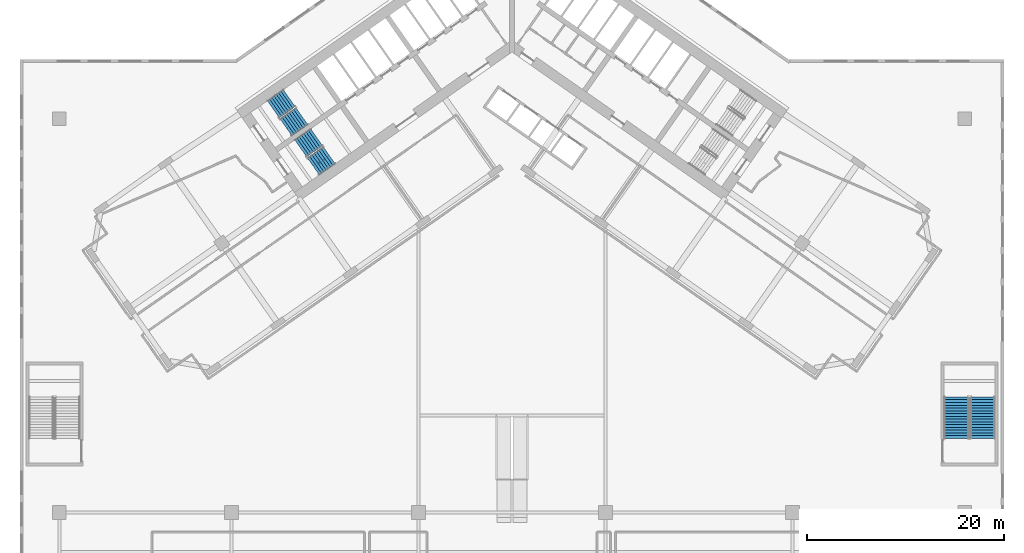
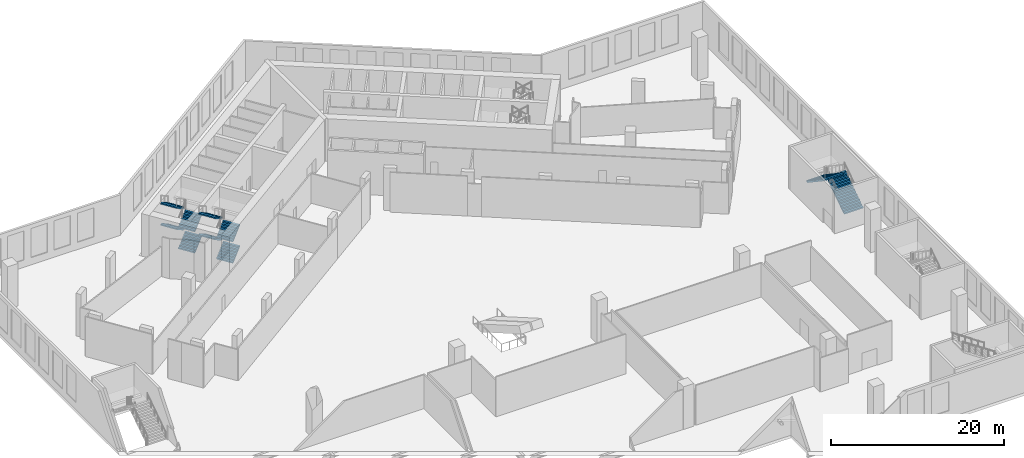
# One storey, part 15 of 25: 10 stair flights, 3 elements without a shape of their own.
"""IFC4 building model written with IfcOpenShell, lengths in metres."""

from ifc_helpers import new_model, si_unit, direction, frame, origin, place, context, subcontext, project, spatial, polyline, outline, extrude, material, type_object, element, aggregate, save


model = new_model("IFC4")

# Units and contexts
model_context = context("Model", 3, precision=1e-05, world=origin(), true_north=direction((0.0, 1.0)))
body_context = subcontext(model_context, "Body", "Model", "MODEL_VIEW")
ifc_project = project(units=[si_unit("LENGTHUNIT", "METRE"), si_unit("AREAUNIT", "SQUARE_METRE"), si_unit("VOLUMEUNIT", "CUBIC_METRE"), si_unit("PLANEANGLEUNIT", "RADIAN"), si_unit("MASSUNIT", "GRAM", prefix="KILO")], contexts=[model_context])

# Site, building, storey
site_placement = place(None, origin())
site = spatial("IfcSite", under=ifc_project, at=site_placement, CompositionType="ELEMENT")
building_placement = place(site_placement, origin())
building = spatial("IfcBuilding", under=site, at=building_placement, Name="Tel Ilan Convention Tower", CompositionType="ELEMENT")
storey_placement = place(building_placement, frame((0.0, 0.0, 26.0)))
storey = spatial("IfcBuildingStorey", under=building, at=storey_placement, Name="L03", CompositionType="ELEMENT", Elevation=26.0)

# Stair, stair flights
ifc_material_1 = material(Name="Concrete C40/50", Category="concrete")
stair_type = type_object("IfcStairType", Name="Pressurised Exit Stair 32 risers 188 mm", PredefinedType="HALF_TURN_STAIR", material=ifc_material_1)
stair_1_placement = place(storey_placement, origin())
stair_1 = element("IfcStair", 1, at=stair_1_placement, inside=storey, type_object=stair_type, Name="L03 Pressurised Stair S1", PredefinedType="HALF_TURN_STAIR")
ifc_material_2 = material(Name="Precast Concrete C40/50", Category="concrete")
stair_flight_type_1 = type_object("IfcStairFlightType", Name="Concrete Stair Flight 2100 mm 32 risers 188 mm", PredefinedType="STRAIGHT", material=ifc_material_2)
stair_flight_1_placement = place(storey_placement, frame((-22.9619140625, -8.87548828125, 0.0), z_axis=(0.0, 0.0, 1.0), x_axis=(0.819152044289, 0.573576436351, 0.0)))
stair_flight_1 = element("IfcStairFlight", 2, at=stair_flight_1_placement, type_object=stair_flight_type_1, Name="S1 flight 1", NumberOfRisers=8, NumberOfTreads=7, PredefinedType="STRAIGHT", RiserHeight=0.1875, TreadLength=0.28, context=body_context, shape_type="SweptSolid", body=[
    extrude(outline(polyline([(0.0, 0.0), (0.0, 0.1875), (0.280029296875, 0.1875), (0.280029296875, 0.375), (0.56005859375, 0.375), (0.56005859375, 0.5625), (0.840087890625, 0.5625), (0.840087890625, 0.75), (1.1201171875, 0.75), (1.1201171875, 0.9375), (1.39990234375, 0.9375), (1.39990234375, 1.125), (1.679931640625, 1.125), (1.679931640625, 1.3125), (1.9599609375, 1.3125), (1.9599609375, 1.5), (1.9599609375, 1.132080078125), (0.26953125, 0.0), (0.0, 0.0)])), frame((0.0, -0.100341796875, 0.0), z_axis=(0.0, -1.0, 0.0), x_axis=(1.0, 0.0, 0.0)), (0.0, 0.0, 1.0), 0.94970703125),
    extrude(outline(polyline([(0.0, 0.0), (0.0, 0.1875), (0.280029296875, 0.1875), (0.280029296875, 0.375), (0.56005859375, 0.375), (0.56005859375, 0.5625), (0.840087890625, 0.5625), (0.840087890625, 0.75), (1.1201171875, 0.75), (1.1201171875, 0.9375), (1.39990234375, 0.9375), (1.39990234375, 1.125), (1.679931640625, 1.125), (1.679931640625, 1.3125), (1.9599609375, 1.3125), (1.9599609375, 1.5), (1.9599609375, 1.132080078125), (0.26953125, 0.0), (0.0, 0.0)])), frame((0.0, -0.000244140625, 0.0), z_axis=(0.0, -1.0, 0.0), x_axis=(1.0, 0.0, 0.0)), (0.0, 0.0, 1.0), 0.099609375),
    extrude(outline(polyline([(0.0, 0.0), (0.0, 0.1875), (0.280029296875, 0.1875), (0.280029296875, 0.375), (0.56005859375, 0.375), (0.56005859375, 0.5625), (0.840087890625, 0.5625), (0.840087890625, 0.75), (1.1201171875, 0.75), (1.1201171875, 0.9375), (1.39990234375, 0.9375), (1.39990234375, 1.125), (1.679931640625, 1.125), (1.679931640625, 1.3125), (1.9599609375, 1.3125), (1.9599609375, 1.5), (1.9599609375, 1.132080078125), (0.26953125, 0.0), (0.0, 0.0)])), frame((0.0, 0.099853515625, 0.0), z_axis=(0.0, -1.0, 0.0), x_axis=(1.0, 0.0, 0.0)), (0.0, 0.0, 1.0), 0.099609375),
    extrude(outline(polyline([(0.0, 0.0), (0.0, 0.1875), (0.280029296875, 0.1875), (0.280029296875, 0.375), (0.56005859375, 0.375), (0.56005859375, 0.5625), (0.840087890625, 0.5625), (0.840087890625, 0.75), (1.1201171875, 0.75), (1.1201171875, 0.9375), (1.39990234375, 0.9375), (1.39990234375, 1.125), (1.679931640625, 1.125), (1.679931640625, 1.3125), (1.9599609375, 1.3125), (1.9599609375, 1.5), (1.9599609375, 1.132080078125), (0.26953125, 0.0), (0.0, 0.0)])), frame((0.0, 1.050048828125, 0.0), z_axis=(0.0, -1.0, 0.0), x_axis=(1.0, 0.0, 0.0)), (0.0, 0.0, 1.0), 0.94970703125),
])
stair_flight_2_placement = place(storey_placement, frame((-22.646728515625, -5.908203125, 1.5), z_axis=(0.0, 0.0, 1.0), x_axis=(-0.819152044289, -0.573576436351, 0.0)))
stair_flight_2 = element("IfcStairFlight", 3, at=stair_flight_2_placement, type_object=stair_flight_type_1, Name="S1 flight 2", NumberOfRisers=8, NumberOfTreads=7, PredefinedType="STRAIGHT", RiserHeight=0.1875, TreadLength=0.28, context=body_context, shape_type="SweptSolid", body=[
    extrude(outline(polyline([(0.0, 0.0), (0.0, 0.1875), (0.280029296875, 0.1875), (0.280029296875, 0.375), (0.56005859375, 0.375), (0.56005859375, 0.5625), (0.840087890625, 0.5625), (0.840087890625, 0.75), (1.1201171875, 0.75), (1.1201171875, 0.9375), (1.39990234375, 0.9375), (1.39990234375, 1.125), (1.679931640625, 1.125), (1.679931640625, 1.3125), (1.9599609375, 1.3125), (1.9599609375, 1.5), (1.9599609375, 1.132080078125), (0.26953125, 0.0), (0.0, 0.0)])), frame((0.0, -0.100341796875, 0.0), z_axis=(0.0, -1.0, 0.0), x_axis=(1.0, 0.0, 0.0)), (0.0, 0.0, 1.0), 0.94970703125),
    extrude(outline(polyline([(0.0, 0.0), (0.0, 0.1875), (0.280029296875, 0.1875), (0.280029296875, 0.375), (0.56005859375, 0.375), (0.56005859375, 0.5625), (0.840087890625, 0.5625), (0.840087890625, 0.75), (1.1201171875, 0.75), (1.1201171875, 0.9375), (1.39990234375, 0.9375), (1.39990234375, 1.125), (1.679931640625, 1.125), (1.679931640625, 1.3125), (1.9599609375, 1.3125), (1.9599609375, 1.5), (1.9599609375, 1.132080078125), (0.26953125, 0.0), (0.0, 0.0)])), frame((0.0, -0.000244140625, 0.0), z_axis=(0.0, -1.0, 0.0), x_axis=(1.0, 0.0, 0.0)), (0.0, 0.0, 1.0), 0.099609375),
    extrude(outline(polyline([(0.0, 0.0), (0.0, 0.1875), (0.280029296875, 0.1875), (0.280029296875, 0.375), (0.56005859375, 0.375), (0.56005859375, 0.5625), (0.840087890625, 0.5625), (0.840087890625, 0.75), (1.1201171875, 0.75), (1.1201171875, 0.9375), (1.39990234375, 0.9375), (1.39990234375, 1.125), (1.679931640625, 1.125), (1.679931640625, 1.3125), (1.9599609375, 1.3125), (1.9599609375, 1.5), (1.9599609375, 1.132080078125), (0.26953125, 0.0), (0.0, 0.0)])), frame((0.0, 0.099853515625, 0.0), z_axis=(0.0, -1.0, 0.0), x_axis=(1.0, 0.0, 0.0)), (0.0, 0.0, 1.0), 0.099609375),
    extrude(outline(polyline([(0.0, 0.0), (0.0, 0.1875), (0.280029296875, 0.1875), (0.280029296875, 0.375), (0.56005859375, 0.375), (0.56005859375, 0.5625), (0.840087890625, 0.5625), (0.840087890625, 0.75), (1.1201171875, 0.75), (1.1201171875, 0.9375), (1.39990234375, 0.9375), (1.39990234375, 1.125), (1.679931640625, 1.125), (1.679931640625, 1.3125), (1.9599609375, 1.3125), (1.9599609375, 1.5), (1.9599609375, 1.132080078125), (0.26953125, 0.0), (0.0, 0.0)])), frame((0.0, 1.050048828125, 0.0), z_axis=(0.0, -1.0, 0.0), x_axis=(1.0, 0.0, 0.0)), (0.0, 0.0, 1.0), 0.94970703125),
])
stair_flight_3_placement = place(storey_placement, frame((-22.9619140625, -8.87548828125, 3.0), z_axis=(0.0, 0.0, 1.0), x_axis=(0.819152044289, 0.573576436351, 0.0)))
stair_flight_3 = element("IfcStairFlight", 4, at=stair_flight_3_placement, type_object=stair_flight_type_1, Name="S1 flight 3", NumberOfRisers=8, NumberOfTreads=7, PredefinedType="STRAIGHT", RiserHeight=0.1875, TreadLength=0.28, context=body_context, shape_type="SweptSolid", body=[
    extrude(outline(polyline([(0.0, 0.0), (0.0, 0.1875), (0.280029296875, 0.1875), (0.280029296875, 0.375), (0.56005859375, 0.375), (0.56005859375, 0.5625), (0.840087890625, 0.5625), (0.840087890625, 0.75), (1.1201171875, 0.75), (1.1201171875, 0.9375), (1.39990234375, 0.9375), (1.39990234375, 1.125), (1.679931640625, 1.125), (1.679931640625, 1.3125), (1.9599609375, 1.3125), (1.9599609375, 1.5), (1.9599609375, 1.132080078125), (0.26953125, 0.0), (0.0, 0.0)])), frame((0.0, -0.100341796875, 0.0), z_axis=(0.0, -1.0, 0.0), x_axis=(1.0, 0.0, 0.0)), (0.0, 0.0, 1.0), 0.94970703125),
    extrude(outline(polyline([(0.0, 0.0), (0.0, 0.1875), (0.280029296875, 0.1875), (0.280029296875, 0.375), (0.56005859375, 0.375), (0.56005859375, 0.5625), (0.840087890625, 0.5625), (0.840087890625, 0.75), (1.1201171875, 0.75), (1.1201171875, 0.9375), (1.39990234375, 0.9375), (1.39990234375, 1.125), (1.679931640625, 1.125), (1.679931640625, 1.3125), (1.9599609375, 1.3125), (1.9599609375, 1.5), (1.9599609375, 1.132080078125), (0.26953125, 0.0), (0.0, 0.0)])), frame((0.0, -0.000244140625, 0.0), z_axis=(0.0, -1.0, 0.0), x_axis=(1.0, 0.0, 0.0)), (0.0, 0.0, 1.0), 0.099609375),
    extrude(outline(polyline([(0.0, 0.0), (0.0, 0.1875), (0.280029296875, 0.1875), (0.280029296875, 0.375), (0.56005859375, 0.375), (0.56005859375, 0.5625), (0.840087890625, 0.5625), (0.840087890625, 0.75), (1.1201171875, 0.75), (1.1201171875, 0.9375), (1.39990234375, 0.9375), (1.39990234375, 1.125), (1.679931640625, 1.125), (1.679931640625, 1.3125), (1.9599609375, 1.3125), (1.9599609375, 1.5), (1.9599609375, 1.132080078125), (0.26953125, 0.0), (0.0, 0.0)])), frame((0.0, 0.099853515625, 0.0), z_axis=(0.0, -1.0, 0.0), x_axis=(1.0, 0.0, 0.0)), (0.0, 0.0, 1.0), 0.099609375),
    extrude(outline(polyline([(0.0, 0.0), (0.0, 0.1875), (0.280029296875, 0.1875), (0.280029296875, 0.375), (0.56005859375, 0.375), (0.56005859375, 0.5625), (0.840087890625, 0.5625), (0.840087890625, 0.75), (1.1201171875, 0.75), (1.1201171875, 0.9375), (1.39990234375, 0.9375), (1.39990234375, 1.125), (1.679931640625, 1.125), (1.679931640625, 1.3125), (1.9599609375, 1.3125), (1.9599609375, 1.5), (1.9599609375, 1.132080078125), (0.26953125, 0.0), (0.0, 0.0)])), frame((0.0, 1.050048828125, 0.0), z_axis=(0.0, -1.0, 0.0), x_axis=(1.0, 0.0, 0.0)), (0.0, 0.0, 1.0), 0.94970703125),
])
stair_flight_4_placement = place(storey_placement, frame((-22.646728515625, -5.908203125, 4.5), z_axis=(0.0, 0.0, 1.0), x_axis=(-0.819152044289, -0.573576436351, 0.0)))
stair_flight_4 = element("IfcStairFlight", 5, at=stair_flight_4_placement, type_object=stair_flight_type_1, Name="S1 flight 4", NumberOfRisers=8, NumberOfTreads=7, PredefinedType="STRAIGHT", RiserHeight=0.1875, TreadLength=0.28, context=body_context, shape_type="SweptSolid", body=[
    extrude(outline(polyline([(0.0, 0.0), (0.0, 0.1875), (0.280029296875, 0.1875), (0.280029296875, 0.375), (0.56005859375, 0.375), (0.56005859375, 0.5625), (0.840087890625, 0.5625), (0.840087890625, 0.75), (1.1201171875, 0.75), (1.1201171875, 0.9375), (1.39990234375, 0.9375), (1.39990234375, 1.125), (1.679931640625, 1.125), (1.679931640625, 1.3125), (1.9599609375, 1.3125), (1.9599609375, 1.5), (1.9599609375, 1.132080078125), (0.26953125, 0.0), (0.0, 0.0)])), frame((0.0, -0.100341796875, 0.0), z_axis=(0.0, -1.0, 0.0), x_axis=(1.0, 0.0, 0.0)), (0.0, 0.0, 1.0), 0.94970703125),
    extrude(outline(polyline([(0.0, 0.0), (0.0, 0.1875), (0.280029296875, 0.1875), (0.280029296875, 0.375), (0.56005859375, 0.375), (0.56005859375, 0.5625), (0.840087890625, 0.5625), (0.840087890625, 0.75), (1.1201171875, 0.75), (1.1201171875, 0.9375), (1.39990234375, 0.9375), (1.39990234375, 1.125), (1.679931640625, 1.125), (1.679931640625, 1.3125), (1.9599609375, 1.3125), (1.9599609375, 1.5), (1.9599609375, 1.132080078125), (0.26953125, 0.0), (0.0, 0.0)])), frame((0.0, -0.000244140625, 0.0), z_axis=(0.0, -1.0, 0.0), x_axis=(1.0, 0.0, 0.0)), (0.0, 0.0, 1.0), 0.099609375),
    extrude(outline(polyline([(0.0, 0.0), (0.0, 0.1875), (0.280029296875, 0.1875), (0.280029296875, 0.375), (0.56005859375, 0.375), (0.56005859375, 0.5625), (0.840087890625, 0.5625), (0.840087890625, 0.75), (1.1201171875, 0.75), (1.1201171875, 0.9375), (1.39990234375, 0.9375), (1.39990234375, 1.125), (1.679931640625, 1.125), (1.679931640625, 1.3125), (1.9599609375, 1.3125), (1.9599609375, 1.5), (1.9599609375, 1.132080078125), (0.26953125, 0.0), (0.0, 0.0)])), frame((0.0, 0.099853515625, 0.0), z_axis=(0.0, -1.0, 0.0), x_axis=(1.0, 0.0, 0.0)), (0.0, 0.0, 1.0), 0.099609375),
    extrude(outline(polyline([(0.0, 0.0), (0.0, 0.1875), (0.280029296875, 0.1875), (0.280029296875, 0.375), (0.56005859375, 0.375), (0.56005859375, 0.5625), (0.840087890625, 0.5625), (0.840087890625, 0.75), (1.1201171875, 0.75), (1.1201171875, 0.9375), (1.39990234375, 0.9375), (1.39990234375, 1.125), (1.679931640625, 1.125), (1.679931640625, 1.3125), (1.9599609375, 1.3125), (1.9599609375, 1.5), (1.9599609375, 1.132080078125), (0.26953125, 0.0), (0.0, 0.0)])), frame((0.0, 1.050048828125, 0.0), z_axis=(0.0, -1.0, 0.0), x_axis=(1.0, 0.0, 0.0)), (0.0, 0.0, 1.0), 0.94970703125),
])
aggregate(stair_1, [stair_flight_1, stair_flight_2, stair_flight_3, stair_flight_4])

stair_2_placement = place(storey_placement, origin())
stair_2 = element("IfcStair", 6, at=stair_2_placement, inside=storey, type_object=stair_type, Name="L03 Pressurised Stair S2", PredefinedType="HALF_TURN_STAIR")
stair_flight_5_placement = place(storey_placement, frame((-20.179931640625, -12.848388671875, 0.0), z_axis=(0.0, 0.0, 1.0), x_axis=(0.819152044289, 0.573576436351, 0.0)))
stair_flight_5 = element("IfcStairFlight", 7, at=stair_flight_5_placement, type_object=stair_flight_type_1, Name="S2 flight 1", NumberOfRisers=8, NumberOfTreads=7, PredefinedType="STRAIGHT", RiserHeight=0.1875, TreadLength=0.28, context=body_context, shape_type="SweptSolid", body=[
    extrude(outline(polyline([(0.0, 0.0), (0.0, 0.1875), (0.280029296875, 0.1875), (0.280029296875, 0.375), (0.56005859375, 0.375), (0.56005859375, 0.5625), (0.840087890625, 0.5625), (0.840087890625, 0.75), (1.1201171875, 0.75), (1.1201171875, 0.9375), (1.39990234375, 0.9375), (1.39990234375, 1.125), (1.679931640625, 1.125), (1.679931640625, 1.3125), (1.9599609375, 1.3125), (1.9599609375, 1.5), (1.9599609375, 1.132080078125), (0.26953125, 0.0), (0.0, 0.0)])), frame((0.0, -0.100341796875, 0.0), z_axis=(0.0, -1.0, 0.0), x_axis=(1.0, 0.0, 0.0)), (0.0, 0.0, 1.0), 0.94970703125),
    extrude(outline(polyline([(0.0, 0.0), (0.0, 0.1875), (0.280029296875, 0.1875), (0.280029296875, 0.375), (0.56005859375, 0.375), (0.56005859375, 0.5625), (0.840087890625, 0.5625), (0.840087890625, 0.75), (1.1201171875, 0.75), (1.1201171875, 0.9375), (1.39990234375, 0.9375), (1.39990234375, 1.125), (1.679931640625, 1.125), (1.679931640625, 1.3125), (1.9599609375, 1.3125), (1.9599609375, 1.5), (1.9599609375, 1.132080078125), (0.26953125, 0.0), (0.0, 0.0)])), frame((0.0, -0.000244140625, 0.0), z_axis=(0.0, -1.0, 0.0), x_axis=(1.0, 0.0, 0.0)), (0.0, 0.0, 1.0), 0.099609375),
    extrude(outline(polyline([(0.0, 0.0), (0.0, 0.1875), (0.280029296875, 0.1875), (0.280029296875, 0.375), (0.56005859375, 0.375), (0.56005859375, 0.5625), (0.840087890625, 0.5625), (0.840087890625, 0.75), (1.1201171875, 0.75), (1.1201171875, 0.9375), (1.39990234375, 0.9375), (1.39990234375, 1.125), (1.679931640625, 1.125), (1.679931640625, 1.3125), (1.9599609375, 1.3125), (1.9599609375, 1.5), (1.9599609375, 1.132080078125), (0.26953125, 0.0), (0.0, 0.0)])), frame((0.0, 0.099853515625, 0.0), z_axis=(0.0, -1.0, 0.0), x_axis=(1.0, 0.0, 0.0)), (0.0, 0.0, 1.0), 0.099609375),
    extrude(outline(polyline([(0.0, 0.0), (0.0, 0.1875), (0.280029296875, 0.1875), (0.280029296875, 0.375), (0.56005859375, 0.375), (0.56005859375, 0.5625), (0.840087890625, 0.5625), (0.840087890625, 0.75), (1.1201171875, 0.75), (1.1201171875, 0.9375), (1.39990234375, 0.9375), (1.39990234375, 1.125), (1.679931640625, 1.125), (1.679931640625, 1.3125), (1.9599609375, 1.3125), (1.9599609375, 1.5), (1.9599609375, 1.132080078125), (0.26953125, 0.0), (0.0, 0.0)])), frame((0.0, 1.050048828125, 0.0), z_axis=(0.0, -1.0, 0.0), x_axis=(1.0, 0.0, 0.0)), (0.0, 0.0, 1.0), 0.94970703125),
])
stair_flight_6_placement = place(storey_placement, frame((-19.864990234375, -9.881103515625, 1.5), z_axis=(0.0, 0.0, 1.0), x_axis=(-0.819152044289, -0.573576436351, 0.0)))
stair_flight_6 = element("IfcStairFlight", 8, at=stair_flight_6_placement, type_object=stair_flight_type_1, Name="S2 flight 2", NumberOfRisers=8, NumberOfTreads=7, PredefinedType="STRAIGHT", RiserHeight=0.1875, TreadLength=0.28, context=body_context, shape_type="SweptSolid", body=[
    extrude(outline(polyline([(0.0, 0.0), (0.0, 0.1875), (0.280029296875, 0.1875), (0.280029296875, 0.375), (0.56005859375, 0.375), (0.56005859375, 0.5625), (0.840087890625, 0.5625), (0.840087890625, 0.75), (1.1201171875, 0.75), (1.1201171875, 0.9375), (1.39990234375, 0.9375), (1.39990234375, 1.125), (1.679931640625, 1.125), (1.679931640625, 1.3125), (1.9599609375, 1.3125), (1.9599609375, 1.5), (1.9599609375, 1.132080078125), (0.26953125, 0.0), (0.0, 0.0)])), frame((0.0, -0.100341796875, 0.0), z_axis=(0.0, -1.0, 0.0), x_axis=(1.0, 0.0, 0.0)), (0.0, 0.0, 1.0), 0.94970703125),
    extrude(outline(polyline([(0.0, 0.0), (0.0, 0.1875), (0.280029296875, 0.1875), (0.280029296875, 0.375), (0.56005859375, 0.375), (0.56005859375, 0.5625), (0.840087890625, 0.5625), (0.840087890625, 0.75), (1.1201171875, 0.75), (1.1201171875, 0.9375), (1.39990234375, 0.9375), (1.39990234375, 1.125), (1.679931640625, 1.125), (1.679931640625, 1.3125), (1.9599609375, 1.3125), (1.9599609375, 1.5), (1.9599609375, 1.132080078125), (0.26953125, 0.0), (0.0, 0.0)])), frame((0.0, -0.000244140625, 0.0), z_axis=(0.0, -1.0, 0.0), x_axis=(1.0, 0.0, 0.0)), (0.0, 0.0, 1.0), 0.099609375),
    extrude(outline(polyline([(0.0, 0.0), (0.0, 0.1875), (0.280029296875, 0.1875), (0.280029296875, 0.375), (0.56005859375, 0.375), (0.56005859375, 0.5625), (0.840087890625, 0.5625), (0.840087890625, 0.75), (1.1201171875, 0.75), (1.1201171875, 0.9375), (1.39990234375, 0.9375), (1.39990234375, 1.125), (1.679931640625, 1.125), (1.679931640625, 1.3125), (1.9599609375, 1.3125), (1.9599609375, 1.5), (1.9599609375, 1.132080078125), (0.26953125, 0.0), (0.0, 0.0)])), frame((0.0, 0.099853515625, 0.0), z_axis=(0.0, -1.0, 0.0), x_axis=(1.0, 0.0, 0.0)), (0.0, 0.0, 1.0), 0.099609375),
    extrude(outline(polyline([(0.0, 0.0), (0.0, 0.1875), (0.280029296875, 0.1875), (0.280029296875, 0.375), (0.56005859375, 0.375), (0.56005859375, 0.5625), (0.840087890625, 0.5625), (0.840087890625, 0.75), (1.1201171875, 0.75), (1.1201171875, 0.9375), (1.39990234375, 0.9375), (1.39990234375, 1.125), (1.679931640625, 1.125), (1.679931640625, 1.3125), (1.9599609375, 1.3125), (1.9599609375, 1.5), (1.9599609375, 1.132080078125), (0.26953125, 0.0), (0.0, 0.0)])), frame((0.0, 1.050048828125, 0.0), z_axis=(0.0, -1.0, 0.0), x_axis=(1.0, 0.0, 0.0)), (0.0, 0.0, 1.0), 0.94970703125),
])
stair_flight_7_placement = place(storey_placement, frame((-20.179931640625, -12.848388671875, 3.0), z_axis=(0.0, 0.0, 1.0), x_axis=(0.819152044289, 0.573576436351, 0.0)))
stair_flight_7 = element("IfcStairFlight", 9, at=stair_flight_7_placement, type_object=stair_flight_type_1, Name="S2 flight 3", NumberOfRisers=8, NumberOfTreads=7, PredefinedType="STRAIGHT", RiserHeight=0.1875, TreadLength=0.28, context=body_context, shape_type="SweptSolid", body=[
    extrude(outline(polyline([(0.0, 0.0), (0.0, 0.1875), (0.280029296875, 0.1875), (0.280029296875, 0.375), (0.56005859375, 0.375), (0.56005859375, 0.5625), (0.840087890625, 0.5625), (0.840087890625, 0.75), (1.1201171875, 0.75), (1.1201171875, 0.9375), (1.39990234375, 0.9375), (1.39990234375, 1.125), (1.679931640625, 1.125), (1.679931640625, 1.3125), (1.9599609375, 1.3125), (1.9599609375, 1.5), (1.9599609375, 1.132080078125), (0.26953125, 0.0), (0.0, 0.0)])), frame((0.0, -0.100341796875, 0.0), z_axis=(0.0, -1.0, 0.0), x_axis=(1.0, 0.0, 0.0)), (0.0, 0.0, 1.0), 0.94970703125),
    extrude(outline(polyline([(0.0, 0.0), (0.0, 0.1875), (0.280029296875, 0.1875), (0.280029296875, 0.375), (0.56005859375, 0.375), (0.56005859375, 0.5625), (0.840087890625, 0.5625), (0.840087890625, 0.75), (1.1201171875, 0.75), (1.1201171875, 0.9375), (1.39990234375, 0.9375), (1.39990234375, 1.125), (1.679931640625, 1.125), (1.679931640625, 1.3125), (1.9599609375, 1.3125), (1.9599609375, 1.5), (1.9599609375, 1.132080078125), (0.26953125, 0.0), (0.0, 0.0)])), frame((0.0, -0.000244140625, 0.0), z_axis=(0.0, -1.0, 0.0), x_axis=(1.0, 0.0, 0.0)), (0.0, 0.0, 1.0), 0.099609375),
    extrude(outline(polyline([(0.0, 0.0), (0.0, 0.1875), (0.280029296875, 0.1875), (0.280029296875, 0.375), (0.56005859375, 0.375), (0.56005859375, 0.5625), (0.840087890625, 0.5625), (0.840087890625, 0.75), (1.1201171875, 0.75), (1.1201171875, 0.9375), (1.39990234375, 0.9375), (1.39990234375, 1.125), (1.679931640625, 1.125), (1.679931640625, 1.3125), (1.9599609375, 1.3125), (1.9599609375, 1.5), (1.9599609375, 1.132080078125), (0.26953125, 0.0), (0.0, 0.0)])), frame((0.0, 0.099853515625, 0.0), z_axis=(0.0, -1.0, 0.0), x_axis=(1.0, 0.0, 0.0)), (0.0, 0.0, 1.0), 0.099609375),
    extrude(outline(polyline([(0.0, 0.0), (0.0, 0.1875), (0.280029296875, 0.1875), (0.280029296875, 0.375), (0.56005859375, 0.375), (0.56005859375, 0.5625), (0.840087890625, 0.5625), (0.840087890625, 0.75), (1.1201171875, 0.75), (1.1201171875, 0.9375), (1.39990234375, 0.9375), (1.39990234375, 1.125), (1.679931640625, 1.125), (1.679931640625, 1.3125), (1.9599609375, 1.3125), (1.9599609375, 1.5), (1.9599609375, 1.132080078125), (0.26953125, 0.0), (0.0, 0.0)])), frame((0.0, 1.050048828125, 0.0), z_axis=(0.0, -1.0, 0.0), x_axis=(1.0, 0.0, 0.0)), (0.0, 0.0, 1.0), 0.94970703125),
])
stair_flight_8_placement = place(storey_placement, frame((-19.864990234375, -9.881103515625, 4.5), z_axis=(0.0, 0.0, 1.0), x_axis=(-0.819152044289, -0.573576436351, 0.0)))
stair_flight_8 = element("IfcStairFlight", 10, at=stair_flight_8_placement, type_object=stair_flight_type_1, Name="S2 flight 4", NumberOfRisers=8, NumberOfTreads=7, PredefinedType="STRAIGHT", RiserHeight=0.1875, TreadLength=0.28, context=body_context, shape_type="SweptSolid", body=[
    extrude(outline(polyline([(0.0, 0.0), (0.0, 0.1875), (0.280029296875, 0.1875), (0.280029296875, 0.375), (0.56005859375, 0.375), (0.56005859375, 0.5625), (0.840087890625, 0.5625), (0.840087890625, 0.75), (1.1201171875, 0.75), (1.1201171875, 0.9375), (1.39990234375, 0.9375), (1.39990234375, 1.125), (1.679931640625, 1.125), (1.679931640625, 1.3125), (1.9599609375, 1.3125), (1.9599609375, 1.5), (1.9599609375, 1.132080078125), (0.26953125, 0.0), (0.0, 0.0)])), frame((0.0, -0.100341796875, 0.0), z_axis=(0.0, -1.0, 0.0), x_axis=(1.0, 0.0, 0.0)), (0.0, 0.0, 1.0), 0.94970703125),
    extrude(outline(polyline([(0.0, 0.0), (0.0, 0.1875), (0.280029296875, 0.1875), (0.280029296875, 0.375), (0.56005859375, 0.375), (0.56005859375, 0.5625), (0.840087890625, 0.5625), (0.840087890625, 0.75), (1.1201171875, 0.75), (1.1201171875, 0.9375), (1.39990234375, 0.9375), (1.39990234375, 1.125), (1.679931640625, 1.125), (1.679931640625, 1.3125), (1.9599609375, 1.3125), (1.9599609375, 1.5), (1.9599609375, 1.132080078125), (0.26953125, 0.0), (0.0, 0.0)])), frame((0.0, -0.000244140625, 0.0), z_axis=(0.0, -1.0, 0.0), x_axis=(1.0, 0.0, 0.0)), (0.0, 0.0, 1.0), 0.099609375),
    extrude(outline(polyline([(0.0, 0.0), (0.0, 0.1875), (0.280029296875, 0.1875), (0.280029296875, 0.375), (0.56005859375, 0.375), (0.56005859375, 0.5625), (0.840087890625, 0.5625), (0.840087890625, 0.75), (1.1201171875, 0.75), (1.1201171875, 0.9375), (1.39990234375, 0.9375), (1.39990234375, 1.125), (1.679931640625, 1.125), (1.679931640625, 1.3125), (1.9599609375, 1.3125), (1.9599609375, 1.5), (1.9599609375, 1.132080078125), (0.26953125, 0.0), (0.0, 0.0)])), frame((0.0, 0.099853515625, 0.0), z_axis=(0.0, -1.0, 0.0), x_axis=(1.0, 0.0, 0.0)), (0.0, 0.0, 1.0), 0.099609375),
    extrude(outline(polyline([(0.0, 0.0), (0.0, 0.1875), (0.280029296875, 0.1875), (0.280029296875, 0.375), (0.56005859375, 0.375), (0.56005859375, 0.5625), (0.840087890625, 0.5625), (0.840087890625, 0.75), (1.1201171875, 0.75), (1.1201171875, 0.9375), (1.39990234375, 0.9375), (1.39990234375, 1.125), (1.679931640625, 1.125), (1.679931640625, 1.3125), (1.9599609375, 1.3125), (1.9599609375, 1.5), (1.9599609375, 1.132080078125), (0.26953125, 0.0), (0.0, 0.0)])), frame((0.0, 1.050048828125, 0.0), z_axis=(0.0, -1.0, 0.0), x_axis=(1.0, 0.0, 0.0)), (0.0, 0.0, 1.0), 0.94970703125),
])
aggregate(stair_2, [stair_flight_5, stair_flight_6, stair_flight_7, stair_flight_8])

stair_3_placement = place(storey_placement, origin())
stair_3 = element("IfcStair", 11, at=stair_3_placement, inside=storey, type_object=stair_type, Name="L03 Podium Exit Stair P8", PredefinedType="HALF_TURN_STAIR")
ifc_material_3 = material(Name="Precast Concrete C40/50", Category="concrete")
stair_flight_type_2 = type_object("IfcStairFlightType", Name="Concrete Stair Flight 2525 mm 32 risers 188 mm", PredefinedType="STRAIGHT", material=ifc_material_3)
stair_flight_9_placement = place(storey_placement, frame((47.83740234375, -40.47509765625, 0.0), z_axis=(0.0, 0.0, 1.0), x_axis=(0.0, 1.0, 0.0)))
stair_flight_9 = element("IfcStairFlight", 12, at=stair_flight_9_placement, type_object=stair_flight_type_2, Name="P8 flight 1", NumberOfRisers=16, NumberOfTreads=15, PredefinedType="STRAIGHT", RiserHeight=0.1875, TreadLength=0.28, context=body_context, shape_type="SweptSolid", body=[
    extrude(outline(polyline([(0.0, 0.0), (0.0, 0.1875), (0.280029296875, 0.1875), (0.280029296875, 0.375), (0.56005859375, 0.375), (0.56005859375, 0.5625), (0.840087890625, 0.5625), (0.840087890625, 0.75), (1.1201171875, 0.75), (1.1201171875, 0.9375), (1.39990234375, 0.9375), (1.39990234375, 1.125), (1.679931640625, 1.125), (1.679931640625, 1.3125), (1.9599609375, 1.3125), (1.9599609375, 1.5), (2.239990234375, 1.5), (2.239990234375, 1.6875), (2.52001953125, 1.6875), (2.52001953125, 1.875), (2.800048828125, 1.875), (2.800048828125, 2.0625), (3.080078125, 2.0625), (3.080078125, 2.25), (3.360107421875, 2.25), (3.360107421875, 2.4375), (3.639892578125, 2.4375), (3.639892578125, 2.625), (3.919921875, 2.625), (3.919921875, 2.8125), (4.199951171875, 2.8125), (4.199951171875, 3.0), (4.199951171875, 2.632080078125), (0.26953125, 0.0), (0.0, 0.0)])), frame((0.0, -0.100341796875, 0.0), z_axis=(0.0, -1.0, 0.0), x_axis=(1.0, 0.0, 0.0)), (0.0, 0.0, 1.0), 1.162109375),
    extrude(outline(polyline([(0.0, 0.0), (0.0, 0.1875), (0.280029296875, 0.1875), (0.280029296875, 0.375), (0.56005859375, 0.375), (0.56005859375, 0.5625), (0.840087890625, 0.5625), (0.840087890625, 0.75), (1.1201171875, 0.75), (1.1201171875, 0.9375), (1.39990234375, 0.9375), (1.39990234375, 1.125), (1.679931640625, 1.125), (1.679931640625, 1.3125), (1.9599609375, 1.3125), (1.9599609375, 1.5), (2.239990234375, 1.5), (2.239990234375, 1.6875), (2.52001953125, 1.6875), (2.52001953125, 1.875), (2.800048828125, 1.875), (2.800048828125, 2.0625), (3.080078125, 2.0625), (3.080078125, 2.25), (3.360107421875, 2.25), (3.360107421875, 2.4375), (3.639892578125, 2.4375), (3.639892578125, 2.625), (3.919921875, 2.625), (3.919921875, 2.8125), (4.199951171875, 2.8125), (4.199951171875, 3.0), (4.199951171875, 2.632080078125), (0.26953125, 0.0), (0.0, 0.0)])), frame((0.0, -0.000244140625, 0.0), z_axis=(0.0, -1.0, 0.0), x_axis=(1.0, 0.0, 0.0)), (0.0, 0.0, 1.0), 0.099609375),
    extrude(outline(polyline([(0.0, 0.0), (0.0, 0.1875), (0.280029296875, 0.1875), (0.280029296875, 0.375), (0.56005859375, 0.375), (0.56005859375, 0.5625), (0.840087890625, 0.5625), (0.840087890625, 0.75), (1.1201171875, 0.75), (1.1201171875, 0.9375), (1.39990234375, 0.9375), (1.39990234375, 1.125), (1.679931640625, 1.125), (1.679931640625, 1.3125), (1.9599609375, 1.3125), (1.9599609375, 1.5), (2.239990234375, 1.5), (2.239990234375, 1.6875), (2.52001953125, 1.6875), (2.52001953125, 1.875), (2.800048828125, 1.875), (2.800048828125, 2.0625), (3.080078125, 2.0625), (3.080078125, 2.25), (3.360107421875, 2.25), (3.360107421875, 2.4375), (3.639892578125, 2.4375), (3.639892578125, 2.625), (3.919921875, 2.625), (3.919921875, 2.8125), (4.199951171875, 2.8125), (4.199951171875, 3.0), (4.199951171875, 2.632080078125), (0.26953125, 0.0), (0.0, 0.0)])), frame((0.0, 0.099853515625, 0.0), z_axis=(0.0, -1.0, 0.0), x_axis=(1.0, 0.0, 0.0)), (0.0, 0.0, 1.0), 0.099609375),
    extrude(outline(polyline([(0.0, 0.0), (0.0, 0.1875), (0.280029296875, 0.1875), (0.280029296875, 0.375), (0.56005859375, 0.375), (0.56005859375, 0.5625), (0.840087890625, 0.5625), (0.840087890625, 0.75), (1.1201171875, 0.75), (1.1201171875, 0.9375), (1.39990234375, 0.9375), (1.39990234375, 1.125), (1.679931640625, 1.125), (1.679931640625, 1.3125), (1.9599609375, 1.3125), (1.9599609375, 1.5), (2.239990234375, 1.5), (2.239990234375, 1.6875), (2.52001953125, 1.6875), (2.52001953125, 1.875), (2.800048828125, 1.875), (2.800048828125, 2.0625), (3.080078125, 2.0625), (3.080078125, 2.25), (3.360107421875, 2.25), (3.360107421875, 2.4375), (3.639892578125, 2.4375), (3.639892578125, 2.625), (3.919921875, 2.625), (3.919921875, 2.8125), (4.199951171875, 2.8125), (4.199951171875, 3.0), (4.199951171875, 2.632080078125), (0.26953125, 0.0), (0.0, 0.0)])), frame((0.0, 1.262451171875, 0.0), z_axis=(0.0, -1.0, 0.0), x_axis=(1.0, 0.0, 0.0)), (0.0, 0.0, 1.0), 1.162109375),
])
stair_flight_10_placement = place(storey_placement, frame((45.16259765625, -36.27490234375, 3.0), z_axis=(0.0, 0.0, 1.0), x_axis=(0.0, -1.0, 0.0)))
stair_flight_10 = element("IfcStairFlight", 13, at=stair_flight_10_placement, type_object=stair_flight_type_2, Name="P8 flight 2", NumberOfRisers=16, NumberOfTreads=15, PredefinedType="STRAIGHT", RiserHeight=0.1875, TreadLength=0.28, context=body_context, shape_type="SweptSolid", body=[
    extrude(outline(polyline([(0.0, 0.0), (0.0, 0.1875), (0.280029296875, 0.1875), (0.280029296875, 0.375), (0.56005859375, 0.375), (0.56005859375, 0.5625), (0.840087890625, 0.5625), (0.840087890625, 0.75), (1.1201171875, 0.75), (1.1201171875, 0.9375), (1.39990234375, 0.9375), (1.39990234375, 1.125), (1.679931640625, 1.125), (1.679931640625, 1.3125), (1.9599609375, 1.3125), (1.9599609375, 1.5), (2.239990234375, 1.5), (2.239990234375, 1.6875), (2.52001953125, 1.6875), (2.52001953125, 1.875), (2.800048828125, 1.875), (2.800048828125, 2.0625), (3.080078125, 2.0625), (3.080078125, 2.25), (3.360107421875, 2.25), (3.360107421875, 2.4375), (3.639892578125, 2.4375), (3.639892578125, 2.625), (3.919921875, 2.625), (3.919921875, 2.8125), (4.199951171875, 2.8125), (4.199951171875, 3.0), (4.199951171875, 2.632080078125), (0.26953125, 0.0), (0.0, 0.0)])), frame((0.0, -0.100341796875, 0.0), z_axis=(0.0, -1.0, 0.0), x_axis=(1.0, 0.0, 0.0)), (0.0, 0.0, 1.0), 1.162109375),
    extrude(outline(polyline([(0.0, 0.0), (0.0, 0.1875), (0.280029296875, 0.1875), (0.280029296875, 0.375), (0.56005859375, 0.375), (0.56005859375, 0.5625), (0.840087890625, 0.5625), (0.840087890625, 0.75), (1.1201171875, 0.75), (1.1201171875, 0.9375), (1.39990234375, 0.9375), (1.39990234375, 1.125), (1.679931640625, 1.125), (1.679931640625, 1.3125), (1.9599609375, 1.3125), (1.9599609375, 1.5), (2.239990234375, 1.5), (2.239990234375, 1.6875), (2.52001953125, 1.6875), (2.52001953125, 1.875), (2.800048828125, 1.875), (2.800048828125, 2.0625), (3.080078125, 2.0625), (3.080078125, 2.25), (3.360107421875, 2.25), (3.360107421875, 2.4375), (3.639892578125, 2.4375), (3.639892578125, 2.625), (3.919921875, 2.625), (3.919921875, 2.8125), (4.199951171875, 2.8125), (4.199951171875, 3.0), (4.199951171875, 2.632080078125), (0.26953125, 0.0), (0.0, 0.0)])), frame((0.0, -0.000244140625, 0.0), z_axis=(0.0, -1.0, 0.0), x_axis=(1.0, 0.0, 0.0)), (0.0, 0.0, 1.0), 0.099609375),
    extrude(outline(polyline([(0.0, 0.0), (0.0, 0.1875), (0.280029296875, 0.1875), (0.280029296875, 0.375), (0.56005859375, 0.375), (0.56005859375, 0.5625), (0.840087890625, 0.5625), (0.840087890625, 0.75), (1.1201171875, 0.75), (1.1201171875, 0.9375), (1.39990234375, 0.9375), (1.39990234375, 1.125), (1.679931640625, 1.125), (1.679931640625, 1.3125), (1.9599609375, 1.3125), (1.9599609375, 1.5), (2.239990234375, 1.5), (2.239990234375, 1.6875), (2.52001953125, 1.6875), (2.52001953125, 1.875), (2.800048828125, 1.875), (2.800048828125, 2.0625), (3.080078125, 2.0625), (3.080078125, 2.25), (3.360107421875, 2.25), (3.360107421875, 2.4375), (3.639892578125, 2.4375), (3.639892578125, 2.625), (3.919921875, 2.625), (3.919921875, 2.8125), (4.199951171875, 2.8125), (4.199951171875, 3.0), (4.199951171875, 2.632080078125), (0.26953125, 0.0), (0.0, 0.0)])), frame((0.0, 0.099853515625, 0.0), z_axis=(0.0, -1.0, 0.0), x_axis=(1.0, 0.0, 0.0)), (0.0, 0.0, 1.0), 0.099609375),
    extrude(outline(polyline([(0.0, 0.0), (0.0, 0.1875), (0.280029296875, 0.1875), (0.280029296875, 0.375), (0.56005859375, 0.375), (0.56005859375, 0.5625), (0.840087890625, 0.5625), (0.840087890625, 0.75), (1.1201171875, 0.75), (1.1201171875, 0.9375), (1.39990234375, 0.9375), (1.39990234375, 1.125), (1.679931640625, 1.125), (1.679931640625, 1.3125), (1.9599609375, 1.3125), (1.9599609375, 1.5), (2.239990234375, 1.5), (2.239990234375, 1.6875), (2.52001953125, 1.6875), (2.52001953125, 1.875), (2.800048828125, 1.875), (2.800048828125, 2.0625), (3.080078125, 2.0625), (3.080078125, 2.25), (3.360107421875, 2.25), (3.360107421875, 2.4375), (3.639892578125, 2.4375), (3.639892578125, 2.625), (3.919921875, 2.625), (3.919921875, 2.8125), (4.199951171875, 2.8125), (4.199951171875, 3.0), (4.199951171875, 2.632080078125), (0.26953125, 0.0), (0.0, 0.0)])), frame((0.0, 1.262451171875, 0.0), z_axis=(0.0, -1.0, 0.0), x_axis=(1.0, 0.0, 0.0)), (0.0, 0.0, 1.0), 1.162109375),
])
aggregate(stair_3, [stair_flight_9, stair_flight_10])

save(model, "model.ifc")
